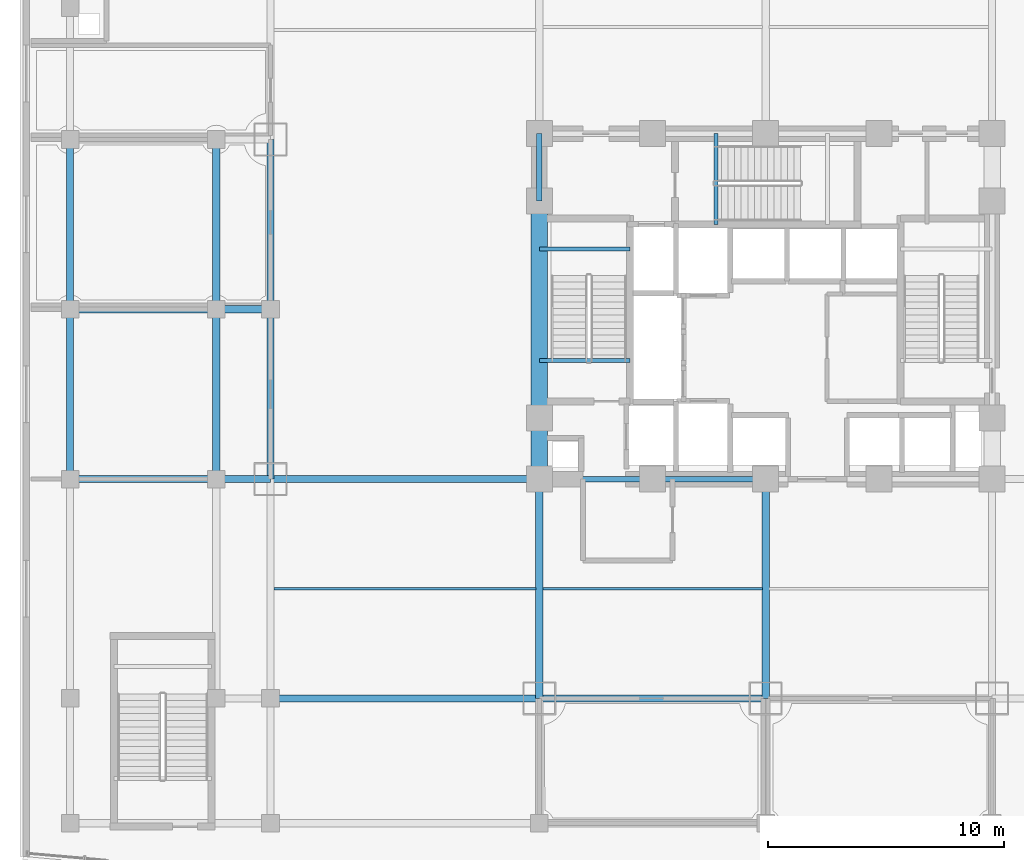
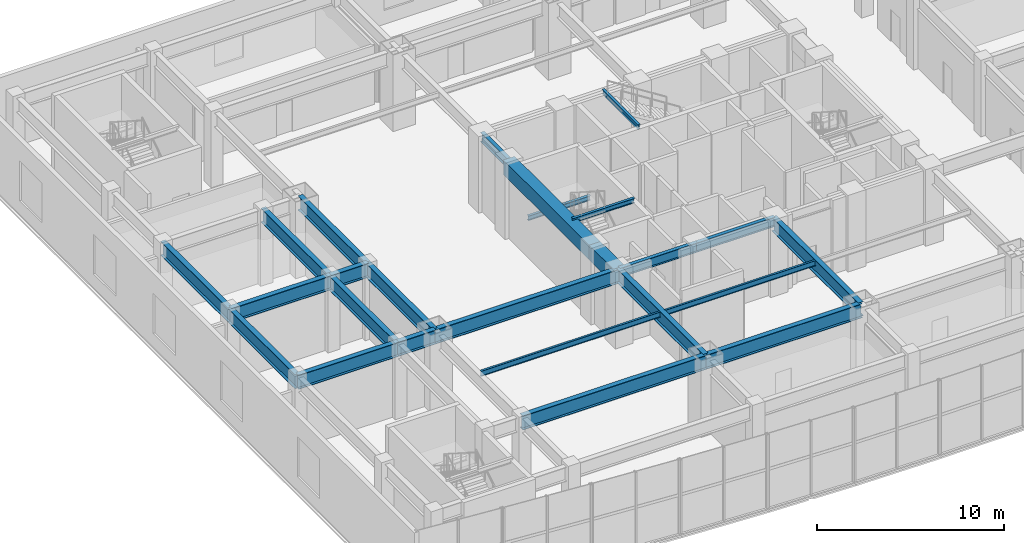
# One storey, part 6 of 24: 25 beams.
"""IFC4 building model written with IfcOpenShell, lengths in metres."""

from ifc_helpers import new_model, si_unit, direction, frame, origin, origin_2d, place, context, subcontext, project, spatial, rectangle, i_section, extrude, material, material_profile, profile_set, type_object, element, save


model = new_model("IFC4")

# Units and contexts
model_context = context("Model", 3, precision=1e-05, world=origin(), true_north=direction((0.0, 1.0)))
body_context = subcontext(model_context, "Body", "Model", "MODEL_VIEW")
ifc_project = project(units=[si_unit("LENGTHUNIT", "METRE"), si_unit("AREAUNIT", "SQUARE_METRE"), si_unit("VOLUMEUNIT", "CUBIC_METRE"), si_unit("PLANEANGLEUNIT", "RADIAN"), si_unit("MASSUNIT", "GRAM", prefix="KILO")], contexts=[model_context])

# Site, building, storey
site_placement = place(None, origin())
site = spatial("IfcSite", under=ifc_project, at=site_placement, CompositionType="ELEMENT")
building_placement = place(site_placement, origin())
building = spatial("IfcBuilding", under=site, at=building_placement, Name="Vantalir Tower", CompositionType="ELEMENT")
storey_placement = place(building_placement, frame((0.0, 0.0, 11.0)))
storey = spatial("IfcBuildingStorey", under=building, at=storey_placement, Name="L02", CompositionType="ELEMENT", Elevation=11.0)

# Beams
ifc_material_1 = material(Name="Concrete C60/75", Category="concrete")
ifc_material_profile_1 = material_profile(ifc_material_1, rectangle(XDim=0.699951171875, YDim=0.949951171875, at=origin_2d()), Name="Concrete C60/75")
ifc_profile_set_1 = profile_set([ifc_material_profile_1], Name="Concrete C60/75")
beam_type_1 = type_object("IfcBeamType", Name="BM-CB-700x950", PredefinedType="USERDEFINED", material=ifc_profile_set_1)
beam_1_placement = place(storey_placement, frame((21.89990234375, 29.60009765625, 4.344970703125), z_axis=(0.0, -1.0, 0.0), x_axis=(1.0, 0.0, 0.0)))
element("IfcBeam", 1, at=beam_1_placement, inside=storey, type_object=beam_type_1, Name="Level 02 Core Coupling Girder 13", ObjectType="GIRDER", PredefinedType="USERDEFINED", context=body_context, shape_type="SweptSolid", body=[
    extrude(rectangle(XDim=0.699951171875, YDim=0.949951171875, at=origin_2d()), origin(), (0.0, 0.0, 1.0), 9.2001953125),
])
beam_2_placement = place(storey_placement, frame((21.89990234375, 20.39990234375, 4.344970703125), z_axis=(0.0, -1.0, 0.0), x_axis=(1.0, 0.0, 0.0)))
element("IfcBeam", 2, at=beam_2_placement, inside=storey, type_object=beam_type_1, Name="Level 02 Core Coupling Girder 14", ObjectType="GIRDER", PredefinedType="USERDEFINED", context=body_context, shape_type="SweptSolid", body=[
    extrude(rectangle(XDim=0.699951171875, YDim=0.949951171875, at=origin_2d()), origin(), (0.0, 0.0, 1.0), 2.599853515625),
])
ifc_material_2 = material(Name="Steel S355", Category="steel")
ifc_material_profile_2 = material_profile(ifc_material_2, i_section(OverallWidth=0.166015625, OverallDepth=0.306884765625, WebThickness=0.006591796875, FlangeThickness=0.01171875, at=origin_2d()), Name="Steel S355")
ifc_profile_set_2 = profile_set([ifc_material_profile_2], Name="Steel S355")
beam_type_2 = type_object("IfcBeamType", Name="BM-JS-305x165", PredefinedType="JOIST", material=ifc_profile_set_2)
for number, where, z_axis, x_axis, name in (
    (3, (21.89990234375, 22.8349609375, 4.845947265625), (1.0, 0.0, 0.0), (0.0, 1.0, 0.0), "L03 Stair ST1 Well Nosing Trimmer Beam"),
    (4, (21.89990234375, 27.56494140625, 2.14697265625), (1.0, 0.0, 0.0), (0.0, 1.0, 0.0), "Level 02 Stair ST1 Half-Landing Support Beam"),
):
    element("IfcBeam", number, at=place(storey_placement, frame(where, z_axis=z_axis, x_axis=x_axis)), inside=storey, type_object=beam_type_2, Name=name, PredefinedType="JOIST", context=body_context, shape_type="SweptSolid", body=[
        extrude(i_section(OverallWidth=0.166015625, OverallDepth=0.306884765625, WebThickness=0.006591796875, FlangeThickness=0.01171875, at=origin_2d()), origin(), (0.0, 0.0, 1.0), 3.840087890625),
    ])
beam_3_placement = place(storey_placement, frame((29.385009765625, 28.60009765625, 4.845947265625), z_axis=(0.0, 1.0, 0.0), x_axis=(-1.0, 0.0, 0.0)))
element("IfcBeam", 5, at=beam_3_placement, inside=storey, type_object=beam_type_2, Name="L03 Stair ST3 Well Nosing Trimmer Beam", PredefinedType="JOIST", context=body_context, shape_type="SweptSolid", body=[
    extrude(i_section(OverallWidth=0.166015625, OverallDepth=0.306884765625, WebThickness=0.006591796875, FlangeThickness=0.01171875, at=origin_2d()), origin(), (0.0, 0.0, 1.0), 3.849853515625),
])
ifc_material_profile_3 = material_profile(ifc_material_2, i_section(OverallWidth=0.1259765625, OverallDepth=0.35302734375, WebThickness=0.006591796875, FlangeThickness=0.0107421875, at=origin_2d()), Name="Steel S355")
ifc_profile_set_3 = profile_set([ifc_material_profile_3], Name="Steel S355")
beam_type_3 = type_object("IfcBeamType", Name="BM-JS-356x127", PredefinedType="JOIST", material=ifc_profile_set_3)
beam_4_placement = place(storey_placement, frame((10.64501953125, 13.14990234375, 4.64404296875), z_axis=(1.0, 0.0, 0.0), x_axis=(0.0, 1.0, 0.0)))
element("IfcBeam", 6, at=beam_4_placement, inside=storey, type_object=beam_type_3, Name="Level 02 Secondary Composite Joist 01", PredefinedType="JOIST", context=body_context, shape_type="SweptSolid", body=[
    extrude(i_section(OverallWidth=0.1259765625, OverallDepth=0.35302734375, WebThickness=0.006591796875, FlangeThickness=0.0107421875, at=origin_2d()), origin(), (0.0, 0.0, 1.0), 11.10986328125),
])
beam_5_placement = place(storey_placement, frame((22.044921875, 13.14990234375, 4.64404296875), z_axis=(1.0, 0.0, 0.0), x_axis=(0.0, 1.0, 0.0)))
element("IfcBeam", 7, at=beam_5_placement, inside=storey, type_object=beam_type_3, Name="Level 02 Secondary Composite Joist 03", PredefinedType="JOIST", context=body_context, shape_type="SweptSolid", body=[
    extrude(i_section(OverallWidth=0.1259765625, OverallDepth=0.35302734375, WebThickness=0.006591796875, FlangeThickness=0.0107421875, at=origin_2d()), origin(), (0.0, 0.0, 1.0), 9.31005859375),
])
ifc_material_profile_4 = material_profile(ifc_material_2, i_section(OverallWidth=0.30810546875, OverallDepth=0.927001953125, WebThickness=0.01953125, FlangeThickness=0.031982421875, at=origin_2d()), Name="Steel S355")
ifc_profile_set_4 = profile_set([ifc_material_profile_4], Name="Steel S355")
beam_type_4 = type_object("IfcBeamType", Name="BM-PG-914x305", PredefinedType="USERDEFINED", material=ifc_profile_set_4)
beam_6_placement = place(storey_placement, frame((10.5, 8.5, 4.35595703125), z_axis=(1.0, 0.0, 0.0), x_axis=(0.0, 1.0, 0.0)))
element("IfcBeam", 8, at=beam_6_placement, inside=storey, type_object=beam_type_4, Name="Level 02 Podium E-W Girder 08", ObjectType="GIRDER", PredefinedType="USERDEFINED", context=body_context, shape_type="SweptSolid", body=[
    extrude(i_section(OverallWidth=0.30810546875, OverallDepth=0.927001953125, WebThickness=0.01953125, FlangeThickness=0.031982421875, at=origin_2d()), origin(), (0.0, 0.0, 1.0), 11.39990234375),
])
beam_7_placement = place(storey_placement, frame((21.89990234375, 8.5, 4.35595703125), z_axis=(1.0, 0.0, 0.0), x_axis=(0.0, 1.0, 0.0)))
element("IfcBeam", 9, at=beam_7_placement, inside=storey, type_object=beam_type_4, Name="Level 02 Podium E-W Girder 09", ObjectType="GIRDER", PredefinedType="USERDEFINED", context=body_context, shape_type="SweptSolid", body=[
    extrude(i_section(OverallWidth=0.30810546875, OverallDepth=0.927001953125, WebThickness=0.01953125, FlangeThickness=0.031982421875, at=origin_2d()), origin(), (0.0, 0.0, 1.0), 9.60009765625),
])
beam_8_placement = place(storey_placement, frame((2.0, 17.800048828125, 4.35595703125), z_axis=(1.0, 0.0, 0.0), x_axis=(0.0, 1.0, 0.0)))
element("IfcBeam", 10, at=beam_8_placement, inside=storey, type_object=beam_type_4, Name="Level 02 Podium E-W Girder 12", ObjectType="GIRDER", PredefinedType="USERDEFINED", context=body_context, shape_type="SweptSolid", body=[
    extrude(i_section(OverallWidth=0.30810546875, OverallDepth=0.927001953125, WebThickness=0.01953125, FlangeThickness=0.031982421875, at=origin_2d()), origin(), (0.0, 0.0, 1.0), 6.199951171875),
])
beam_9_placement = place(storey_placement, frame((8.199951171875, 17.800048828125, 4.35595703125), z_axis=(1.0, 0.0, 0.0), x_axis=(0.0, 1.0, 0.0)))
element("IfcBeam", 11, at=beam_9_placement, inside=storey, type_object=beam_type_4, Name="Level 02 Podium E-W Girder 13", ObjectType="GIRDER", PredefinedType="USERDEFINED", context=body_context, shape_type="SweptSolid", body=[
    extrude(i_section(OverallWidth=0.30810546875, OverallDepth=0.927001953125, WebThickness=0.01953125, FlangeThickness=0.031982421875, at=origin_2d()), origin(), (0.0, 0.0, 1.0), 2.300048828125),
])
beam_10_placement = place(storey_placement, frame((10.5, 17.800048828125, 4.35595703125), z_axis=(1.0, 0.0, 0.0), x_axis=(0.0, 1.0, 0.0)))
element("IfcBeam", 12, at=beam_10_placement, inside=storey, type_object=beam_type_4, Name="Level 02 Podium E-W Girder 14", ObjectType="GIRDER", PredefinedType="USERDEFINED", context=body_context, shape_type="SweptSolid", body=[
    extrude(i_section(OverallWidth=0.30810546875, OverallDepth=0.927001953125, WebThickness=0.01953125, FlangeThickness=0.031982421875, at=origin_2d()), origin(), (0.0, 0.0, 1.0), 11.39990234375),
])
beam_11_placement = place(storey_placement, frame((2.0, 25.0, 4.35595703125), z_axis=(1.0, 0.0, 0.0), x_axis=(0.0, 1.0, 0.0)))
element("IfcBeam", 13, at=beam_11_placement, inside=storey, type_object=beam_type_4, Name="Level 02 Podium E-W Girder 21", ObjectType="GIRDER", PredefinedType="USERDEFINED", context=body_context, shape_type="SweptSolid", body=[
    extrude(i_section(OverallWidth=0.30810546875, OverallDepth=0.927001953125, WebThickness=0.01953125, FlangeThickness=0.031982421875, at=origin_2d()), origin(), (0.0, 0.0, 1.0), 6.199951171875),
])
beam_12_placement = place(storey_placement, frame((8.199951171875, 25.0, 4.35595703125), z_axis=(1.0, 0.0, 0.0), x_axis=(0.0, 1.0, 0.0)))
element("IfcBeam", 14, at=beam_12_placement, inside=storey, type_object=beam_type_4, Name="Level 02 Podium E-W Girder 22", ObjectType="GIRDER", PredefinedType="USERDEFINED", context=body_context, shape_type="SweptSolid", body=[
    extrude(i_section(OverallWidth=0.30810546875, OverallDepth=0.927001953125, WebThickness=0.01953125, FlangeThickness=0.031982421875, at=origin_2d()), origin(), (0.0, 0.0, 1.0), 2.300048828125),
])
for number, where, z_axis, x_axis, name in (
    (15, (2.0, 17.800048828125, 4.35595703125), (0.0, 1.0, 0.0), (-1.0, 0.0, 0.0), "Level 02 Podium N-S Girder 43"),
    (16, (2.0, 25.0, 4.35595703125), (0.0, 1.0, 0.0), (-1.0, 0.0, 0.0), "Level 02 Podium N-S Girder 44"),
    (17, (8.199951171875, 17.800048828125, 4.35595703125), (0.0, 1.0, 0.0), (-1.0, 0.0, 0.0), "Level 02 Podium N-S Girder 48"),
    (18, (8.199951171875, 25.0, 4.35595703125), (0.0, 1.0, 0.0), (-1.0, 0.0, 0.0), "Level 02 Podium N-S Girder 49"),
    (19, (10.5, 17.800048828125, 4.35595703125), (0.0, 1.0, 0.0), (-1.0, 0.0, 0.0), "Level 02 Podium N-S Girder 52"),
    (20, (10.5, 25.0, 4.35595703125), (0.0, 1.0, 0.0), (-1.0, 0.0, 0.0), "Level 02 Podium N-S Girder 53"),
):
    element("IfcBeam", number, at=place(storey_placement, frame(where, z_axis=z_axis, x_axis=x_axis)), inside=storey, type_object=beam_type_4, Name=name, ObjectType="GIRDER", PredefinedType="USERDEFINED", context=body_context, shape_type="SweptSolid", body=[
        extrude(i_section(OverallWidth=0.30810546875, OverallDepth=0.927001953125, WebThickness=0.01953125, FlangeThickness=0.031982421875, at=origin_2d()), origin(), (0.0, 0.0, 1.0), 7.199951171875),
    ])
for number, where, z_axis, x_axis, name in (
    (21, (21.89990234375, 8.5, 4.35595703125), (0.0, 1.0, 0.0), (-1.0, 0.0, 0.0), "Level 02 Podium N-S Girder 57"),
    (22, (31.5, 8.5, 4.35595703125), (0.0, 1.0, 0.0), (-1.0, 0.0, 0.0), "Level 02 Podium N-S Girder 64"),
):
    element("IfcBeam", number, at=place(storey_placement, frame(where, z_axis=z_axis, x_axis=x_axis)), inside=storey, type_object=beam_type_4, Name=name, ObjectType="GIRDER", PredefinedType="USERDEFINED", context=body_context, shape_type="SweptSolid", body=[
        extrude(i_section(OverallWidth=0.30810546875, OverallDepth=0.927001953125, WebThickness=0.01953125, FlangeThickness=0.031982421875, at=origin_2d()), origin(), (0.0, 0.0, 1.0), 9.300048828125),
    ])
ifc_material_profile_5 = material_profile(ifc_material_2, i_section(OverallWidth=0.22998046875, OverallDepth=0.616943359375, WebThickness=0.01318359375, FlangeThickness=0.022216796875, at=origin_2d()), Name="Steel S355")
ifc_profile_set_5 = profile_set([ifc_material_profile_5], Name="Steel S355")
beam_type_5 = type_object("IfcBeamType", Name="BM-RB-610x229", PredefinedType="BEAM", material=ifc_profile_set_5)
for number, where, z_axis, x_axis, name in (
    (23, (21.89990234375, 17.800048828125, 4.511962890625), (1.0, 0.0, 0.0), (0.0, 1.0, 0.0), "Level 02 Core Coupling Girder 01"),
    (24, (26.699951171875, 17.800048828125, 4.511962890625), (1.0, 0.0, 0.0), (0.0, 1.0, 0.0), "Level 02 Core Coupling Girder 02"),
):
    element("IfcBeam", number, at=place(storey_placement, frame(where, z_axis=z_axis, x_axis=x_axis)), inside=storey, type_object=beam_type_5, Name=name, PredefinedType="BEAM", context=body_context, shape_type="SweptSolid", body=[
        extrude(i_section(OverallWidth=0.22998046875, OverallDepth=0.616943359375, WebThickness=0.01318359375, FlangeThickness=0.022216796875, at=origin_2d()), origin(), (0.0, 0.0, 1.0), 4.800048828125),
    ])
beam_13_placement = place(storey_placement, frame((21.89990234375, 32.449951171875, 4.511962890625), z_axis=(0.0, -1.0, 0.0), x_axis=(1.0, 0.0, 0.0)))
element("IfcBeam", 25, at=beam_13_placement, inside=storey, type_object=beam_type_5, Name="Level 02 Core Coupling Girder 12", PredefinedType="BEAM", context=body_context, shape_type="SweptSolid", body=[
    extrude(i_section(OverallWidth=0.22998046875, OverallDepth=0.616943359375, WebThickness=0.01318359375, FlangeThickness=0.022216796875, at=origin_2d()), origin(), (0.0, 0.0, 1.0), 2.849853515625),
])

save(model, "model.ifc")
